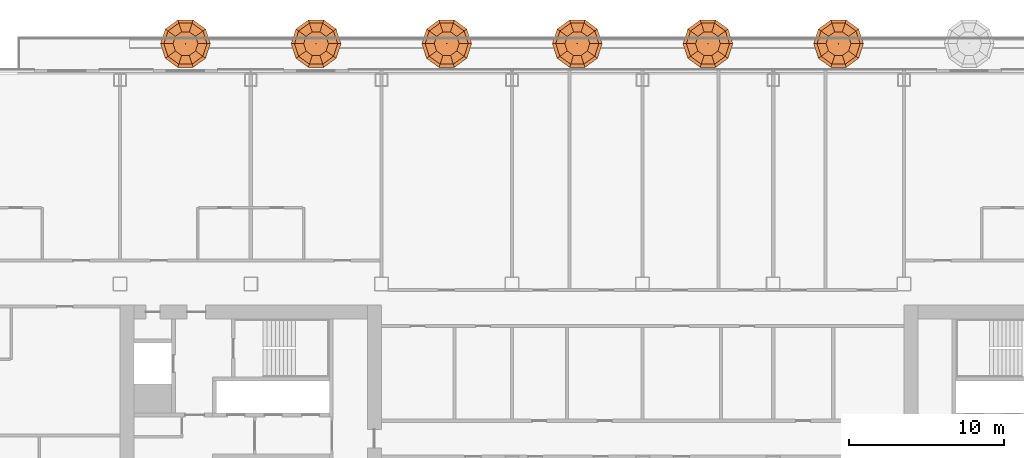
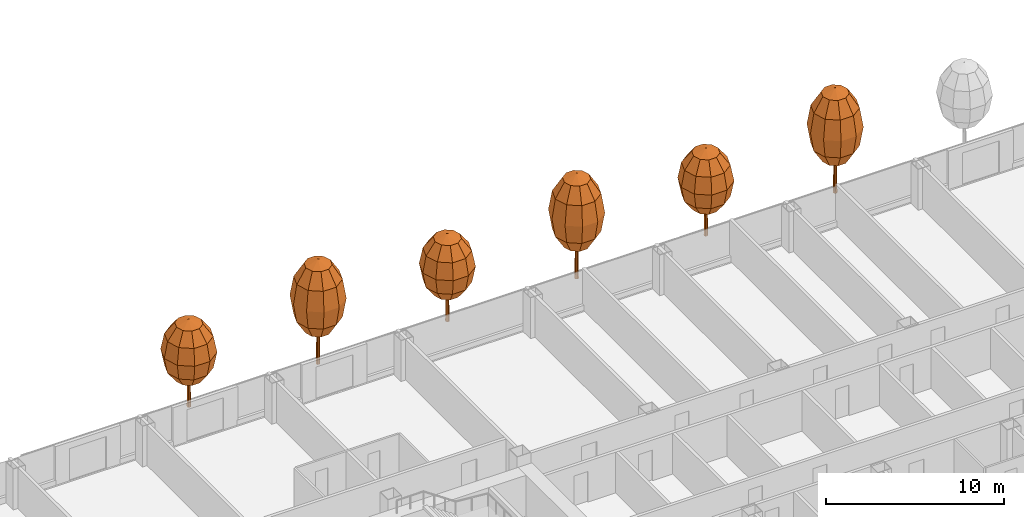
# One storey, part 33 of 34: 6 geographic elements.
"""IFC4 building model written with IfcOpenShell, lengths in metres."""

from ifc_helpers import new_model, si_unit, direction, frame, origin, place, context, subcontext, project, spatial, triangles, material, type_object, element, save


model = new_model("IFC4")

# Units and contexts
model_context = context("Model", 3, precision=1e-05, world=origin(), true_north=direction((0.0, 1.0)))
body_context = subcontext(model_context, "Body", "Model", "MODEL_VIEW")
ifc_project = project(units=[si_unit("LENGTHUNIT", "METRE"), si_unit("AREAUNIT", "SQUARE_METRE"), si_unit("VOLUMEUNIT", "CUBIC_METRE"), si_unit("PLANEANGLEUNIT", "RADIAN"), si_unit("MASSUNIT", "GRAM", prefix="KILO")], contexts=[model_context])

# Site, building, storey
site_placement = place(None, origin())
site = spatial("IfcSite", under=ifc_project, at=site_placement, CompositionType="ELEMENT")
building_placement = place(site_placement, origin())
building = spatial("IfcBuilding", under=site, at=building_placement, Name="Hakoniwa Tower and Hamabe Station Hall", CompositionType="ELEMENT")
storey_placement = place(building_placement, frame((0.0, 0.0, 107.39990234375)))
storey = spatial("IfcBuildingStorey", under=building, at=storey_placement, Name="L30", CompositionType="ELEMENT", Elevation=107.39990234375)

# Geographic elements
ifc_material_1 = material(Name="Tree foliage")
geographic_element_type_1 = type_object("IfcGeographicElementType", Name="Japanese maple 7.2 m", PredefinedType="USERDEFINED", material=ifc_material_1)
geographic_element_1_placement = place(storey_placement, frame((-21.0, 25.199951171875, 0.900146484375)))
element("IfcGeographicElement", 1, at=geographic_element_1_placement, inside=storey, type_object=geographic_element_type_1, Name="Japanese maple 7-2 m", ObjectType="TREE", PredefinedType="USERDEFINED", context=body_context, shape_type="Tessellation", body=[
    triangles([(0.125, 0.0, 0.0), (0.08837890625, 0.08837890625, 0.0), (0.0, 0.125, 0.0), (-0.08837890625, 0.08837890625, 0.0), (-0.125, 0.0, 0.0), (-0.08837890625, -0.08837890625, 0.0), (0.0, -0.125, 0.0), (0.08837890625, -0.08837890625, 0.0), (0.074951171875, 0.0, 4.348876953125), (0.052978515625, 0.052978515625, 4.348876953125), (0.0, 0.074951171875, 4.348876953125), (-0.052978515625, 0.052978515625, 4.348876953125), (-0.074951171875, 0.0, 4.348876953125), (-0.052978515625, -0.052978515625, 4.348876953125), (0.0, -0.074951171875, 4.348876953125), (0.052978515625, -0.052978515625, 4.348876953125), (0.0, 0.0, 0.0), (0.0, 0.0, 4.348876953125)], [[1, 2, 10], [1, 10, 9], [17, 2, 1], [18, 9, 10], [2, 3, 11], [2, 11, 10], [17, 3, 2], [18, 10, 11], [3, 4, 12], [3, 12, 11], [17, 4, 3], [18, 11, 12], [4, 5, 13], [4, 13, 12], [17, 5, 4], [18, 12, 13], [5, 6, 14], [5, 14, 13], [17, 6, 5], [18, 13, 14], [6, 7, 15], [6, 15, 14], [17, 7, 6], [18, 14, 15], [7, 8, 16], [7, 16, 15], [17, 8, 7], [18, 15, 16], [8, 1, 9], [8, 9, 16], [17, 1, 8], [18, 16, 9]], closed=True),
    triangles([(0.0, 0.0, 2.015869140625), (0.800048828125, 0.0, 2.36328125), (0.647216796875, 0.47021484375, 2.36328125), (0.247314453125, 0.7607421875, 2.36328125), (-0.247314453125, 0.7607421875, 2.36328125), (-0.647216796875, 0.47021484375, 2.36328125), (-0.800048828125, 0.0, 2.36328125), (-0.647216796875, -0.47021484375, 2.36328125), (-0.247314453125, -0.7607421875, 2.36328125), (0.247314453125, -0.7607421875, 2.36328125), (0.647216796875, -0.47021484375, 2.36328125), (1.385498046875, 0.0, 3.31201171875), (1.12109375, 0.814453125, 3.31201171875), (0.42822265625, 1.31787109375, 3.31201171875), (-0.42822265625, 1.31787109375, 3.31201171875), (-1.12109375, 0.814453125, 3.31201171875), (-1.385498046875, 0.0, 3.31201171875), (-1.12109375, -0.814453125, 3.31201171875), (-0.42822265625, -1.31787109375, 3.31201171875), (0.42822265625, -1.31787109375, 3.31201171875), (1.12109375, -0.814453125, 3.31201171875), (1.60009765625, 0.0, 4.60791015625), (1.29443359375, 0.9404296875, 4.60791015625), (0.494384765625, 1.521728515625, 4.60791015625), (-0.494384765625, 1.521728515625, 4.60791015625), (-1.29443359375, 0.9404296875, 4.60791015625), (-1.60009765625, 0.0, 4.60791015625), (-1.29443359375, -0.9404296875, 4.60791015625), (-0.494384765625, -1.521728515625, 4.60791015625), (0.494384765625, -1.521728515625, 4.60791015625), (1.29443359375, -0.9404296875, 4.60791015625), (1.385498046875, 0.0, 5.904052734375), (1.12109375, 0.814453125, 5.904052734375), (0.42822265625, 1.31787109375, 5.904052734375), (-0.42822265625, 1.31787109375, 5.904052734375), (-1.12109375, 0.814453125, 5.904052734375), (-1.385498046875, 0.0, 5.904052734375), (-1.12109375, -0.814453125, 5.904052734375), (-0.42822265625, -1.31787109375, 5.904052734375), (0.42822265625, -1.31787109375, 5.904052734375), (1.12109375, -0.814453125, 5.904052734375), (0.800048828125, 0.0, 6.852783203125), (0.647216796875, 0.47021484375, 6.852783203125), (0.247314453125, 0.7607421875, 6.852783203125), (-0.247314453125, 0.7607421875, 6.852783203125), (-0.647216796875, 0.47021484375, 6.852783203125), (-0.800048828125, 0.0, 6.852783203125), (-0.647216796875, -0.47021484375, 6.852783203125), (-0.247314453125, -0.7607421875, 6.852783203125), (0.247314453125, -0.7607421875, 6.852783203125), (0.647216796875, -0.47021484375, 6.852783203125), (0.0, 0.0, 7.199951171875)], [[1, 3, 2], [1, 4, 3], [1, 5, 4], [1, 6, 5], [1, 7, 6], [1, 8, 7], [1, 9, 8], [1, 10, 9], [1, 11, 10], [1, 2, 11], [2, 3, 13], [2, 13, 12], [3, 4, 14], [3, 14, 13], [4, 5, 15], [4, 15, 14], [5, 6, 16], [5, 16, 15], [6, 7, 17], [6, 17, 16], [7, 8, 18], [7, 18, 17], [8, 9, 19], [8, 19, 18], [9, 10, 20], [9, 20, 19], [10, 11, 21], [10, 21, 20], [11, 2, 12], [11, 12, 21], [12, 13, 23], [12, 23, 22], [13, 14, 24], [13, 24, 23], [14, 15, 25], [14, 25, 24], [15, 16, 26], [15, 26, 25], [16, 17, 27], [16, 27, 26], [17, 18, 28], [17, 28, 27], [18, 19, 29], [18, 29, 28], [19, 20, 30], [19, 30, 29], [20, 21, 31], [20, 31, 30], [21, 12, 22], [21, 22, 31], [22, 23, 33], [22, 33, 32], [23, 24, 34], [23, 34, 33], [24, 25, 35], [24, 35, 34], [25, 26, 36], [25, 36, 35], [26, 27, 37], [26, 37, 36], [27, 28, 38], [27, 38, 37], [28, 29, 39], [28, 39, 38], [29, 30, 40], [29, 40, 39], [30, 31, 41], [30, 41, 40], [31, 22, 32], [31, 32, 41], [32, 33, 43], [32, 43, 42], [33, 34, 44], [33, 44, 43], [34, 35, 45], [34, 45, 44], [35, 36, 46], [35, 46, 45], [36, 37, 47], [36, 47, 46], [37, 38, 48], [37, 48, 47], [38, 39, 49], [38, 49, 48], [39, 40, 50], [39, 50, 49], [40, 41, 51], [40, 51, 50], [41, 32, 42], [41, 42, 51], [52, 42, 43], [52, 43, 44], [52, 44, 45], [52, 45, 46], [52, 46, 47], [52, 47, 48], [52, 48, 49], [52, 49, 50], [52, 50, 51], [52, 51, 42]], closed=True),
])
geographic_element_2_placement = place(storey_placement, frame((-4.199951171875, 25.199951171875, 0.900146484375)))
element("IfcGeographicElement", 2, at=geographic_element_2_placement, inside=storey, type_object=geographic_element_type_1, Name="Japanese maple 7-2 m", ObjectType="TREE", PredefinedType="USERDEFINED", context=body_context, shape_type="Tessellation", body=[
    triangles([(0.125, 0.0, 0.0), (0.08837890625, 0.08837890625, 0.0), (0.0, 0.125, 0.0), (-0.08837890625, 0.08837890625, 0.0), (-0.125, 0.0, 0.0), (-0.08837890625, -0.08837890625, 0.0), (0.0, -0.125, 0.0), (0.08837890625, -0.08837890625, 0.0), (0.074951171875, 0.0, 4.348876953125), (0.052978515625, 0.052978515625, 4.348876953125), (0.0, 0.074951171875, 4.348876953125), (-0.052978515625, 0.052978515625, 4.348876953125), (-0.074951171875, 0.0, 4.348876953125), (-0.052978515625, -0.052978515625, 4.348876953125), (0.0, -0.074951171875, 4.348876953125), (0.052978515625, -0.052978515625, 4.348876953125), (0.0, 0.0, 0.0), (0.0, 0.0, 4.348876953125)], [[1, 2, 10], [1, 10, 9], [17, 2, 1], [18, 9, 10], [2, 3, 11], [2, 11, 10], [17, 3, 2], [18, 10, 11], [3, 4, 12], [3, 12, 11], [17, 4, 3], [18, 11, 12], [4, 5, 13], [4, 13, 12], [17, 5, 4], [18, 12, 13], [5, 6, 14], [5, 14, 13], [17, 6, 5], [18, 13, 14], [6, 7, 15], [6, 15, 14], [17, 7, 6], [18, 14, 15], [7, 8, 16], [7, 16, 15], [17, 8, 7], [18, 15, 16], [8, 1, 9], [8, 9, 16], [17, 1, 8], [18, 16, 9]], closed=True),
    triangles([(0.0, 0.0, 2.015869140625), (0.800048828125, 0.0, 2.36328125), (0.647216796875, 0.47021484375, 2.36328125), (0.247314453125, 0.7607421875, 2.36328125), (-0.247314453125, 0.7607421875, 2.36328125), (-0.647216796875, 0.47021484375, 2.36328125), (-0.800048828125, 0.0, 2.36328125), (-0.647216796875, -0.47021484375, 2.36328125), (-0.247314453125, -0.7607421875, 2.36328125), (0.247314453125, -0.7607421875, 2.36328125), (0.647216796875, -0.47021484375, 2.36328125), (1.385498046875, 0.0, 3.31201171875), (1.12109375, 0.814453125, 3.31201171875), (0.42822265625, 1.31787109375, 3.31201171875), (-0.42822265625, 1.31787109375, 3.31201171875), (-1.12109375, 0.814453125, 3.31201171875), (-1.385498046875, 0.0, 3.31201171875), (-1.12109375, -0.814453125, 3.31201171875), (-0.42822265625, -1.31787109375, 3.31201171875), (0.42822265625, -1.31787109375, 3.31201171875), (1.12109375, -0.814453125, 3.31201171875), (1.60009765625, 0.0, 4.60791015625), (1.29443359375, 0.9404296875, 4.60791015625), (0.494384765625, 1.521728515625, 4.60791015625), (-0.494384765625, 1.521728515625, 4.60791015625), (-1.29443359375, 0.9404296875, 4.60791015625), (-1.60009765625, 0.0, 4.60791015625), (-1.29443359375, -0.9404296875, 4.60791015625), (-0.494384765625, -1.521728515625, 4.60791015625), (0.494384765625, -1.521728515625, 4.60791015625), (1.29443359375, -0.9404296875, 4.60791015625), (1.385498046875, 0.0, 5.904052734375), (1.12109375, 0.814453125, 5.904052734375), (0.42822265625, 1.31787109375, 5.904052734375), (-0.42822265625, 1.31787109375, 5.904052734375), (-1.12109375, 0.814453125, 5.904052734375), (-1.385498046875, 0.0, 5.904052734375), (-1.12109375, -0.814453125, 5.904052734375), (-0.42822265625, -1.31787109375, 5.904052734375), (0.42822265625, -1.31787109375, 5.904052734375), (1.12109375, -0.814453125, 5.904052734375), (0.800048828125, 0.0, 6.852783203125), (0.647216796875, 0.47021484375, 6.852783203125), (0.247314453125, 0.7607421875, 6.852783203125), (-0.247314453125, 0.7607421875, 6.852783203125), (-0.647216796875, 0.47021484375, 6.852783203125), (-0.800048828125, 0.0, 6.852783203125), (-0.647216796875, -0.47021484375, 6.852783203125), (-0.247314453125, -0.7607421875, 6.852783203125), (0.247314453125, -0.7607421875, 6.852783203125), (0.647216796875, -0.47021484375, 6.852783203125), (0.0, 0.0, 7.199951171875)], [[1, 3, 2], [1, 4, 3], [1, 5, 4], [1, 6, 5], [1, 7, 6], [1, 8, 7], [1, 9, 8], [1, 10, 9], [1, 11, 10], [1, 2, 11], [2, 3, 13], [2, 13, 12], [3, 4, 14], [3, 14, 13], [4, 5, 15], [4, 15, 14], [5, 6, 16], [5, 16, 15], [6, 7, 17], [6, 17, 16], [7, 8, 18], [7, 18, 17], [8, 9, 19], [8, 19, 18], [9, 10, 20], [9, 20, 19], [10, 11, 21], [10, 21, 20], [11, 2, 12], [11, 12, 21], [12, 13, 23], [12, 23, 22], [13, 14, 24], [13, 24, 23], [14, 15, 25], [14, 25, 24], [15, 16, 26], [15, 26, 25], [16, 17, 27], [16, 27, 26], [17, 18, 28], [17, 28, 27], [18, 19, 29], [18, 29, 28], [19, 20, 30], [19, 30, 29], [20, 21, 31], [20, 31, 30], [21, 12, 22], [21, 22, 31], [22, 23, 33], [22, 33, 32], [23, 24, 34], [23, 34, 33], [24, 25, 35], [24, 35, 34], [25, 26, 36], [25, 36, 35], [26, 27, 37], [26, 37, 36], [27, 28, 38], [27, 38, 37], [28, 29, 39], [28, 39, 38], [29, 30, 40], [29, 40, 39], [30, 31, 41], [30, 41, 40], [31, 22, 32], [31, 32, 41], [32, 33, 43], [32, 43, 42], [33, 34, 44], [33, 44, 43], [34, 35, 45], [34, 45, 44], [35, 36, 46], [35, 46, 45], [36, 37, 47], [36, 47, 46], [37, 38, 48], [37, 48, 47], [38, 39, 49], [38, 49, 48], [39, 40, 50], [39, 50, 49], [40, 41, 51], [40, 51, 50], [41, 32, 42], [41, 42, 51], [52, 42, 43], [52, 43, 44], [52, 44, 45], [52, 45, 46], [52, 46, 47], [52, 47, 48], [52, 48, 49], [52, 49, 50], [52, 50, 51], [52, 51, 42]], closed=True),
])
geographic_element_3_placement = place(storey_placement, frame((12.60009765625, 25.199951171875, 0.900146484375)))
element("IfcGeographicElement", 3, at=geographic_element_3_placement, inside=storey, type_object=geographic_element_type_1, Name="Japanese maple 7-2 m", ObjectType="TREE", PredefinedType="USERDEFINED", context=body_context, shape_type="Tessellation", body=[
    triangles([(0.125, 0.0, 0.0), (0.08837890625, 0.08837890625, 0.0), (0.0, 0.125, 0.0), (-0.08837890625, 0.08837890625, 0.0), (-0.125, 0.0, 0.0), (-0.08837890625, -0.08837890625, 0.0), (0.0, -0.125, 0.0), (0.08837890625, -0.08837890625, 0.0), (0.074951171875, 0.0, 4.348876953125), (0.052978515625, 0.052978515625, 4.348876953125), (0.0, 0.074951171875, 4.348876953125), (-0.052978515625, 0.052978515625, 4.348876953125), (-0.074951171875, 0.0, 4.348876953125), (-0.052978515625, -0.052978515625, 4.348876953125), (0.0, -0.074951171875, 4.348876953125), (0.052978515625, -0.052978515625, 4.348876953125), (0.0, 0.0, 0.0), (0.0, 0.0, 4.348876953125)], [[1, 2, 10], [1, 10, 9], [17, 2, 1], [18, 9, 10], [2, 3, 11], [2, 11, 10], [17, 3, 2], [18, 10, 11], [3, 4, 12], [3, 12, 11], [17, 4, 3], [18, 11, 12], [4, 5, 13], [4, 13, 12], [17, 5, 4], [18, 12, 13], [5, 6, 14], [5, 14, 13], [17, 6, 5], [18, 13, 14], [6, 7, 15], [6, 15, 14], [17, 7, 6], [18, 14, 15], [7, 8, 16], [7, 16, 15], [17, 8, 7], [18, 15, 16], [8, 1, 9], [8, 9, 16], [17, 1, 8], [18, 16, 9]], closed=True),
    triangles([(0.0, 0.0, 2.015869140625), (0.800048828125, 0.0, 2.36328125), (0.647216796875, 0.47021484375, 2.36328125), (0.247314453125, 0.7607421875, 2.36328125), (-0.247314453125, 0.7607421875, 2.36328125), (-0.647216796875, 0.47021484375, 2.36328125), (-0.800048828125, 0.0, 2.36328125), (-0.647216796875, -0.47021484375, 2.36328125), (-0.247314453125, -0.7607421875, 2.36328125), (0.247314453125, -0.7607421875, 2.36328125), (0.647216796875, -0.47021484375, 2.36328125), (1.385498046875, 0.0, 3.31201171875), (1.12109375, 0.814453125, 3.31201171875), (0.42822265625, 1.31787109375, 3.31201171875), (-0.42822265625, 1.31787109375, 3.31201171875), (-1.12109375, 0.814453125, 3.31201171875), (-1.385498046875, 0.0, 3.31201171875), (-1.12109375, -0.814453125, 3.31201171875), (-0.42822265625, -1.31787109375, 3.31201171875), (0.42822265625, -1.31787109375, 3.31201171875), (1.12109375, -0.814453125, 3.31201171875), (1.60009765625, 0.0, 4.60791015625), (1.29443359375, 0.9404296875, 4.60791015625), (0.494384765625, 1.521728515625, 4.60791015625), (-0.494384765625, 1.521728515625, 4.60791015625), (-1.29443359375, 0.9404296875, 4.60791015625), (-1.60009765625, 0.0, 4.60791015625), (-1.29443359375, -0.9404296875, 4.60791015625), (-0.494384765625, -1.521728515625, 4.60791015625), (0.494384765625, -1.521728515625, 4.60791015625), (1.29443359375, -0.9404296875, 4.60791015625), (1.385498046875, 0.0, 5.904052734375), (1.12109375, 0.814453125, 5.904052734375), (0.42822265625, 1.31787109375, 5.904052734375), (-0.42822265625, 1.31787109375, 5.904052734375), (-1.12109375, 0.814453125, 5.904052734375), (-1.385498046875, 0.0, 5.904052734375), (-1.12109375, -0.814453125, 5.904052734375), (-0.42822265625, -1.31787109375, 5.904052734375), (0.42822265625, -1.31787109375, 5.904052734375), (1.12109375, -0.814453125, 5.904052734375), (0.800048828125, 0.0, 6.852783203125), (0.647216796875, 0.47021484375, 6.852783203125), (0.247314453125, 0.7607421875, 6.852783203125), (-0.247314453125, 0.7607421875, 6.852783203125), (-0.647216796875, 0.47021484375, 6.852783203125), (-0.800048828125, 0.0, 6.852783203125), (-0.647216796875, -0.47021484375, 6.852783203125), (-0.247314453125, -0.7607421875, 6.852783203125), (0.247314453125, -0.7607421875, 6.852783203125), (0.647216796875, -0.47021484375, 6.852783203125), (0.0, 0.0, 7.199951171875)], [[1, 3, 2], [1, 4, 3], [1, 5, 4], [1, 6, 5], [1, 7, 6], [1, 8, 7], [1, 9, 8], [1, 10, 9], [1, 11, 10], [1, 2, 11], [2, 3, 13], [2, 13, 12], [3, 4, 14], [3, 14, 13], [4, 5, 15], [4, 15, 14], [5, 6, 16], [5, 16, 15], [6, 7, 17], [6, 17, 16], [7, 8, 18], [7, 18, 17], [8, 9, 19], [8, 19, 18], [9, 10, 20], [9, 20, 19], [10, 11, 21], [10, 21, 20], [11, 2, 12], [11, 12, 21], [12, 13, 23], [12, 23, 22], [13, 14, 24], [13, 24, 23], [14, 15, 25], [14, 25, 24], [15, 16, 26], [15, 26, 25], [16, 17, 27], [16, 27, 26], [17, 18, 28], [17, 28, 27], [18, 19, 29], [18, 29, 28], [19, 20, 30], [19, 30, 29], [20, 21, 31], [20, 31, 30], [21, 12, 22], [21, 22, 31], [22, 23, 33], [22, 33, 32], [23, 24, 34], [23, 34, 33], [24, 25, 35], [24, 35, 34], [25, 26, 36], [25, 36, 35], [26, 27, 37], [26, 37, 36], [27, 28, 38], [27, 38, 37], [28, 29, 39], [28, 39, 38], [29, 30, 40], [29, 40, 39], [30, 31, 41], [30, 41, 40], [31, 22, 32], [31, 32, 41], [32, 33, 43], [32, 43, 42], [33, 34, 44], [33, 44, 43], [34, 35, 45], [34, 45, 44], [35, 36, 46], [35, 46, 45], [36, 37, 47], [36, 47, 46], [37, 38, 48], [37, 48, 47], [38, 39, 49], [38, 49, 48], [39, 40, 50], [39, 50, 49], [40, 41, 51], [40, 51, 50], [41, 32, 42], [41, 42, 51], [52, 42, 43], [52, 43, 44], [52, 44, 45], [52, 45, 46], [52, 46, 47], [52, 47, 48], [52, 48, 49], [52, 49, 50], [52, 50, 51], [52, 51, 42]], closed=True),
])
ifc_material_2 = material(Name="Tree foliage")
geographic_element_type_2 = type_object("IfcGeographicElementType", Name="Osmanthus 6.0 m", PredefinedType="USERDEFINED", material=ifc_material_2)
geographic_element_4_placement = place(storey_placement, frame((-29.39990234375, 25.199951171875, 0.900146484375)))
element("IfcGeographicElement", 4, at=geographic_element_4_placement, inside=storey, type_object=geographic_element_type_2, Name="Osmanthus 6-0 m", ObjectType="TREE", PredefinedType="USERDEFINED", context=body_context, shape_type="Tessellation", body=[
    triangles([(0.125, 0.0, 0.0), (0.08837890625, 0.08837890625, 0.0), (0.0, 0.125, 0.0), (-0.08837890625, 0.08837890625, 0.0), (-0.125, 0.0, 0.0), (-0.08837890625, -0.08837890625, 0.0), (0.0, -0.125, 0.0), (0.08837890625, -0.08837890625, 0.0), (0.074951171875, 0.0, 3.6240234375), (0.052978515625, 0.052978515625, 3.6240234375), (0.0, 0.074951171875, 3.6240234375), (-0.052978515625, 0.052978515625, 3.6240234375), (-0.074951171875, 0.0, 3.6240234375), (-0.052978515625, -0.052978515625, 3.6240234375), (0.0, -0.074951171875, 3.6240234375), (0.052978515625, -0.052978515625, 3.6240234375), (0.0, 0.0, 0.0), (0.0, 0.0, 3.6240234375)], [[1, 2, 10], [1, 10, 9], [17, 2, 1], [18, 9, 10], [2, 3, 11], [2, 11, 10], [17, 3, 2], [18, 10, 11], [3, 4, 12], [3, 12, 11], [17, 4, 3], [18, 11, 12], [4, 5, 13], [4, 13, 12], [17, 5, 4], [18, 12, 13], [5, 6, 14], [5, 14, 13], [17, 6, 5], [18, 13, 14], [6, 7, 15], [6, 15, 14], [17, 7, 6], [18, 14, 15], [7, 8, 16], [7, 16, 15], [17, 8, 7], [18, 15, 16], [8, 1, 9], [8, 9, 16], [17, 1, 8], [18, 16, 9]], closed=True),
    triangles([(0.0, 0.0, 1.679931640625), (0.800048828125, 0.0, 1.969482421875), (0.647216796875, 0.47021484375, 1.969482421875), (0.247314453125, 0.7607421875, 1.969482421875), (-0.247314453125, 0.7607421875, 1.969482421875), (-0.647216796875, 0.47021484375, 1.969482421875), (-0.800048828125, 0.0, 1.969482421875), (-0.647216796875, -0.47021484375, 1.969482421875), (-0.247314453125, -0.7607421875, 1.969482421875), (0.247314453125, -0.7607421875, 1.969482421875), (0.647216796875, -0.47021484375, 1.969482421875), (1.385498046875, 0.0, 2.760009765625), (1.12109375, 0.814453125, 2.760009765625), (0.42822265625, 1.31787109375, 2.760009765625), (-0.42822265625, 1.31787109375, 2.760009765625), (-1.12109375, 0.814453125, 2.760009765625), (-1.385498046875, 0.0, 2.760009765625), (-1.12109375, -0.814453125, 2.760009765625), (-0.42822265625, -1.31787109375, 2.760009765625), (0.42822265625, -1.31787109375, 2.760009765625), (1.12109375, -0.814453125, 2.760009765625), (1.60009765625, 0.0, 3.840087890625), (1.29443359375, 0.9404296875, 3.840087890625), (0.494384765625, 1.521728515625, 3.840087890625), (-0.494384765625, 1.521728515625, 3.840087890625), (-1.29443359375, 0.9404296875, 3.840087890625), (-1.60009765625, 0.0, 3.840087890625), (-1.29443359375, -0.9404296875, 3.840087890625), (-0.494384765625, -1.521728515625, 3.840087890625), (0.494384765625, -1.521728515625, 3.840087890625), (1.29443359375, -0.9404296875, 3.840087890625), (1.385498046875, 0.0, 4.919921875), (1.12109375, 0.814453125, 4.919921875), (0.42822265625, 1.31787109375, 4.919921875), (-0.42822265625, 1.31787109375, 4.919921875), (-1.12109375, 0.814453125, 4.919921875), (-1.385498046875, 0.0, 4.919921875), (-1.12109375, -0.814453125, 4.919921875), (-0.42822265625, -1.31787109375, 4.919921875), (0.42822265625, -1.31787109375, 4.919921875), (1.12109375, -0.814453125, 4.919921875), (0.800048828125, 0.0, 5.710693359375), (0.647216796875, 0.47021484375, 5.710693359375), (0.247314453125, 0.7607421875, 5.710693359375), (-0.247314453125, 0.7607421875, 5.710693359375), (-0.647216796875, 0.47021484375, 5.710693359375), (-0.800048828125, 0.0, 5.710693359375), (-0.647216796875, -0.47021484375, 5.710693359375), (-0.247314453125, -0.7607421875, 5.710693359375), (0.247314453125, -0.7607421875, 5.710693359375), (0.647216796875, -0.47021484375, 5.710693359375), (0.0, 0.0, 6.0)], [[1, 3, 2], [1, 4, 3], [1, 5, 4], [1, 6, 5], [1, 7, 6], [1, 8, 7], [1, 9, 8], [1, 10, 9], [1, 11, 10], [1, 2, 11], [2, 3, 13], [2, 13, 12], [3, 4, 14], [3, 14, 13], [4, 5, 15], [4, 15, 14], [5, 6, 16], [5, 16, 15], [6, 7, 17], [6, 17, 16], [7, 8, 18], [7, 18, 17], [8, 9, 19], [8, 19, 18], [9, 10, 20], [9, 20, 19], [10, 11, 21], [10, 21, 20], [11, 2, 12], [11, 12, 21], [12, 13, 23], [12, 23, 22], [13, 14, 24], [13, 24, 23], [14, 15, 25], [14, 25, 24], [15, 16, 26], [15, 26, 25], [16, 17, 27], [16, 27, 26], [17, 18, 28], [17, 28, 27], [18, 19, 29], [18, 29, 28], [19, 20, 30], [19, 30, 29], [20, 21, 31], [20, 31, 30], [21, 12, 22], [21, 22, 31], [22, 23, 33], [22, 33, 32], [23, 24, 34], [23, 34, 33], [24, 25, 35], [24, 35, 34], [25, 26, 36], [25, 36, 35], [26, 27, 37], [26, 37, 36], [27, 28, 38], [27, 38, 37], [28, 29, 39], [28, 39, 38], [29, 30, 40], [29, 40, 39], [30, 31, 41], [30, 41, 40], [31, 22, 32], [31, 32, 41], [32, 33, 43], [32, 43, 42], [33, 34, 44], [33, 44, 43], [34, 35, 45], [34, 45, 44], [35, 36, 46], [35, 46, 45], [36, 37, 47], [36, 47, 46], [37, 38, 48], [37, 48, 47], [38, 39, 49], [38, 49, 48], [39, 40, 50], [39, 50, 49], [40, 41, 51], [40, 51, 50], [41, 32, 42], [41, 42, 51], [52, 42, 43], [52, 43, 44], [52, 44, 45], [52, 45, 46], [52, 46, 47], [52, 47, 48], [52, 48, 49], [52, 49, 50], [52, 50, 51], [52, 51, 42]], closed=True),
])
geographic_element_5_placement = place(storey_placement, frame((-12.60009765625, 25.199951171875, 0.900146484375)))
element("IfcGeographicElement", 5, at=geographic_element_5_placement, inside=storey, type_object=geographic_element_type_2, Name="Osmanthus 6-0 m", ObjectType="TREE", PredefinedType="USERDEFINED", context=body_context, shape_type="Tessellation", body=[
    triangles([(0.125, 0.0, 0.0), (0.08837890625, 0.08837890625, 0.0), (0.0, 0.125, 0.0), (-0.08837890625, 0.08837890625, 0.0), (-0.125, 0.0, 0.0), (-0.08837890625, -0.08837890625, 0.0), (0.0, -0.125, 0.0), (0.08837890625, -0.08837890625, 0.0), (0.074951171875, 0.0, 3.6240234375), (0.052978515625, 0.052978515625, 3.6240234375), (0.0, 0.074951171875, 3.6240234375), (-0.052978515625, 0.052978515625, 3.6240234375), (-0.074951171875, 0.0, 3.6240234375), (-0.052978515625, -0.052978515625, 3.6240234375), (0.0, -0.074951171875, 3.6240234375), (0.052978515625, -0.052978515625, 3.6240234375), (0.0, 0.0, 0.0), (0.0, 0.0, 3.6240234375)], [[1, 2, 10], [1, 10, 9], [17, 2, 1], [18, 9, 10], [2, 3, 11], [2, 11, 10], [17, 3, 2], [18, 10, 11], [3, 4, 12], [3, 12, 11], [17, 4, 3], [18, 11, 12], [4, 5, 13], [4, 13, 12], [17, 5, 4], [18, 12, 13], [5, 6, 14], [5, 14, 13], [17, 6, 5], [18, 13, 14], [6, 7, 15], [6, 15, 14], [17, 7, 6], [18, 14, 15], [7, 8, 16], [7, 16, 15], [17, 8, 7], [18, 15, 16], [8, 1, 9], [8, 9, 16], [17, 1, 8], [18, 16, 9]], closed=True),
    triangles([(0.0, 0.0, 1.679931640625), (0.800048828125, 0.0, 1.969482421875), (0.647216796875, 0.47021484375, 1.969482421875), (0.247314453125, 0.7607421875, 1.969482421875), (-0.247314453125, 0.7607421875, 1.969482421875), (-0.647216796875, 0.47021484375, 1.969482421875), (-0.800048828125, 0.0, 1.969482421875), (-0.647216796875, -0.47021484375, 1.969482421875), (-0.247314453125, -0.7607421875, 1.969482421875), (0.247314453125, -0.7607421875, 1.969482421875), (0.647216796875, -0.47021484375, 1.969482421875), (1.385498046875, 0.0, 2.760009765625), (1.12109375, 0.814453125, 2.760009765625), (0.42822265625, 1.31787109375, 2.760009765625), (-0.42822265625, 1.31787109375, 2.760009765625), (-1.12109375, 0.814453125, 2.760009765625), (-1.385498046875, 0.0, 2.760009765625), (-1.12109375, -0.814453125, 2.760009765625), (-0.42822265625, -1.31787109375, 2.760009765625), (0.42822265625, -1.31787109375, 2.760009765625), (1.12109375, -0.814453125, 2.760009765625), (1.60009765625, 0.0, 3.840087890625), (1.29443359375, 0.9404296875, 3.840087890625), (0.494384765625, 1.521728515625, 3.840087890625), (-0.494384765625, 1.521728515625, 3.840087890625), (-1.29443359375, 0.9404296875, 3.840087890625), (-1.60009765625, 0.0, 3.840087890625), (-1.29443359375, -0.9404296875, 3.840087890625), (-0.494384765625, -1.521728515625, 3.840087890625), (0.494384765625, -1.521728515625, 3.840087890625), (1.29443359375, -0.9404296875, 3.840087890625), (1.385498046875, 0.0, 4.919921875), (1.12109375, 0.814453125, 4.919921875), (0.42822265625, 1.31787109375, 4.919921875), (-0.42822265625, 1.31787109375, 4.919921875), (-1.12109375, 0.814453125, 4.919921875), (-1.385498046875, 0.0, 4.919921875), (-1.12109375, -0.814453125, 4.919921875), (-0.42822265625, -1.31787109375, 4.919921875), (0.42822265625, -1.31787109375, 4.919921875), (1.12109375, -0.814453125, 4.919921875), (0.800048828125, 0.0, 5.710693359375), (0.647216796875, 0.47021484375, 5.710693359375), (0.247314453125, 0.7607421875, 5.710693359375), (-0.247314453125, 0.7607421875, 5.710693359375), (-0.647216796875, 0.47021484375, 5.710693359375), (-0.800048828125, 0.0, 5.710693359375), (-0.647216796875, -0.47021484375, 5.710693359375), (-0.247314453125, -0.7607421875, 5.710693359375), (0.247314453125, -0.7607421875, 5.710693359375), (0.647216796875, -0.47021484375, 5.710693359375), (0.0, 0.0, 6.0)], [[1, 3, 2], [1, 4, 3], [1, 5, 4], [1, 6, 5], [1, 7, 6], [1, 8, 7], [1, 9, 8], [1, 10, 9], [1, 11, 10], [1, 2, 11], [2, 3, 13], [2, 13, 12], [3, 4, 14], [3, 14, 13], [4, 5, 15], [4, 15, 14], [5, 6, 16], [5, 16, 15], [6, 7, 17], [6, 17, 16], [7, 8, 18], [7, 18, 17], [8, 9, 19], [8, 19, 18], [9, 10, 20], [9, 20, 19], [10, 11, 21], [10, 21, 20], [11, 2, 12], [11, 12, 21], [12, 13, 23], [12, 23, 22], [13, 14, 24], [13, 24, 23], [14, 15, 25], [14, 25, 24], [15, 16, 26], [15, 26, 25], [16, 17, 27], [16, 27, 26], [17, 18, 28], [17, 28, 27], [18, 19, 29], [18, 29, 28], [19, 20, 30], [19, 30, 29], [20, 21, 31], [20, 31, 30], [21, 12, 22], [21, 22, 31], [22, 23, 33], [22, 33, 32], [23, 24, 34], [23, 34, 33], [24, 25, 35], [24, 35, 34], [25, 26, 36], [25, 36, 35], [26, 27, 37], [26, 37, 36], [27, 28, 38], [27, 38, 37], [28, 29, 39], [28, 39, 38], [29, 30, 40], [29, 40, 39], [30, 31, 41], [30, 41, 40], [31, 22, 32], [31, 32, 41], [32, 33, 43], [32, 43, 42], [33, 34, 44], [33, 44, 43], [34, 35, 45], [34, 45, 44], [35, 36, 46], [35, 46, 45], [36, 37, 47], [36, 47, 46], [37, 38, 48], [37, 48, 47], [38, 39, 49], [38, 49, 48], [39, 40, 50], [39, 50, 49], [40, 41, 51], [40, 51, 50], [41, 32, 42], [41, 42, 51], [52, 42, 43], [52, 43, 44], [52, 44, 45], [52, 45, 46], [52, 46, 47], [52, 47, 48], [52, 48, 49], [52, 49, 50], [52, 50, 51], [52, 51, 42]], closed=True),
])
geographic_element_6_placement = place(storey_placement, frame((4.199951171875, 25.199951171875, 0.900146484375)))
element("IfcGeographicElement", 6, at=geographic_element_6_placement, inside=storey, type_object=geographic_element_type_2, Name="Osmanthus 6-0 m", ObjectType="TREE", PredefinedType="USERDEFINED", context=body_context, shape_type="Tessellation", body=[
    triangles([(0.125, 0.0, 0.0), (0.08837890625, 0.08837890625, 0.0), (0.0, 0.125, 0.0), (-0.08837890625, 0.08837890625, 0.0), (-0.125, 0.0, 0.0), (-0.08837890625, -0.08837890625, 0.0), (0.0, -0.125, 0.0), (0.08837890625, -0.08837890625, 0.0), (0.074951171875, 0.0, 3.6240234375), (0.052978515625, 0.052978515625, 3.6240234375), (0.0, 0.074951171875, 3.6240234375), (-0.052978515625, 0.052978515625, 3.6240234375), (-0.074951171875, 0.0, 3.6240234375), (-0.052978515625, -0.052978515625, 3.6240234375), (0.0, -0.074951171875, 3.6240234375), (0.052978515625, -0.052978515625, 3.6240234375), (0.0, 0.0, 0.0), (0.0, 0.0, 3.6240234375)], [[1, 2, 10], [1, 10, 9], [17, 2, 1], [18, 9, 10], [2, 3, 11], [2, 11, 10], [17, 3, 2], [18, 10, 11], [3, 4, 12], [3, 12, 11], [17, 4, 3], [18, 11, 12], [4, 5, 13], [4, 13, 12], [17, 5, 4], [18, 12, 13], [5, 6, 14], [5, 14, 13], [17, 6, 5], [18, 13, 14], [6, 7, 15], [6, 15, 14], [17, 7, 6], [18, 14, 15], [7, 8, 16], [7, 16, 15], [17, 8, 7], [18, 15, 16], [8, 1, 9], [8, 9, 16], [17, 1, 8], [18, 16, 9]], closed=True),
    triangles([(0.0, 0.0, 1.679931640625), (0.800048828125, 0.0, 1.969482421875), (0.647216796875, 0.47021484375, 1.969482421875), (0.247314453125, 0.7607421875, 1.969482421875), (-0.247314453125, 0.7607421875, 1.969482421875), (-0.647216796875, 0.47021484375, 1.969482421875), (-0.800048828125, 0.0, 1.969482421875), (-0.647216796875, -0.47021484375, 1.969482421875), (-0.247314453125, -0.7607421875, 1.969482421875), (0.247314453125, -0.7607421875, 1.969482421875), (0.647216796875, -0.47021484375, 1.969482421875), (1.385498046875, 0.0, 2.760009765625), (1.12109375, 0.814453125, 2.760009765625), (0.42822265625, 1.31787109375, 2.760009765625), (-0.42822265625, 1.31787109375, 2.760009765625), (-1.12109375, 0.814453125, 2.760009765625), (-1.385498046875, 0.0, 2.760009765625), (-1.12109375, -0.814453125, 2.760009765625), (-0.42822265625, -1.31787109375, 2.760009765625), (0.42822265625, -1.31787109375, 2.760009765625), (1.12109375, -0.814453125, 2.760009765625), (1.60009765625, 0.0, 3.840087890625), (1.29443359375, 0.9404296875, 3.840087890625), (0.494384765625, 1.521728515625, 3.840087890625), (-0.494384765625, 1.521728515625, 3.840087890625), (-1.29443359375, 0.9404296875, 3.840087890625), (-1.60009765625, 0.0, 3.840087890625), (-1.29443359375, -0.9404296875, 3.840087890625), (-0.494384765625, -1.521728515625, 3.840087890625), (0.494384765625, -1.521728515625, 3.840087890625), (1.29443359375, -0.9404296875, 3.840087890625), (1.385498046875, 0.0, 4.919921875), (1.12109375, 0.814453125, 4.919921875), (0.42822265625, 1.31787109375, 4.919921875), (-0.42822265625, 1.31787109375, 4.919921875), (-1.12109375, 0.814453125, 4.919921875), (-1.385498046875, 0.0, 4.919921875), (-1.12109375, -0.814453125, 4.919921875), (-0.42822265625, -1.31787109375, 4.919921875), (0.42822265625, -1.31787109375, 4.919921875), (1.12109375, -0.814453125, 4.919921875), (0.800048828125, 0.0, 5.710693359375), (0.647216796875, 0.47021484375, 5.710693359375), (0.247314453125, 0.7607421875, 5.710693359375), (-0.247314453125, 0.7607421875, 5.710693359375), (-0.647216796875, 0.47021484375, 5.710693359375), (-0.800048828125, 0.0, 5.710693359375), (-0.647216796875, -0.47021484375, 5.710693359375), (-0.247314453125, -0.7607421875, 5.710693359375), (0.247314453125, -0.7607421875, 5.710693359375), (0.647216796875, -0.47021484375, 5.710693359375), (0.0, 0.0, 6.0)], [[1, 3, 2], [1, 4, 3], [1, 5, 4], [1, 6, 5], [1, 7, 6], [1, 8, 7], [1, 9, 8], [1, 10, 9], [1, 11, 10], [1, 2, 11], [2, 3, 13], [2, 13, 12], [3, 4, 14], [3, 14, 13], [4, 5, 15], [4, 15, 14], [5, 6, 16], [5, 16, 15], [6, 7, 17], [6, 17, 16], [7, 8, 18], [7, 18, 17], [8, 9, 19], [8, 19, 18], [9, 10, 20], [9, 20, 19], [10, 11, 21], [10, 21, 20], [11, 2, 12], [11, 12, 21], [12, 13, 23], [12, 23, 22], [13, 14, 24], [13, 24, 23], [14, 15, 25], [14, 25, 24], [15, 16, 26], [15, 26, 25], [16, 17, 27], [16, 27, 26], [17, 18, 28], [17, 28, 27], [18, 19, 29], [18, 29, 28], [19, 20, 30], [19, 30, 29], [20, 21, 31], [20, 31, 30], [21, 12, 22], [21, 22, 31], [22, 23, 33], [22, 33, 32], [23, 24, 34], [23, 34, 33], [24, 25, 35], [24, 35, 34], [25, 26, 36], [25, 36, 35], [26, 27, 37], [26, 37, 36], [27, 28, 38], [27, 38, 37], [28, 29, 39], [28, 39, 38], [29, 30, 40], [29, 40, 39], [30, 31, 41], [30, 41, 40], [31, 22, 32], [31, 32, 41], [32, 33, 43], [32, 43, 42], [33, 34, 44], [33, 44, 43], [34, 35, 45], [34, 45, 44], [35, 36, 46], [35, 46, 45], [36, 37, 47], [36, 47, 46], [37, 38, 48], [37, 48, 47], [38, 39, 49], [38, 49, 48], [39, 40, 50], [39, 50, 49], [40, 41, 51], [40, 51, 50], [41, 32, 42], [41, 42, 51], [52, 42, 43], [52, 43, 44], [52, 44, 45], [52, 45, 46], [52, 46, 47], [52, 47, 48], [52, 48, 49], [52, 49, 50], [52, 50, 51], [52, 51, 42]], closed=True),
])

save(model, "model.ifc")
